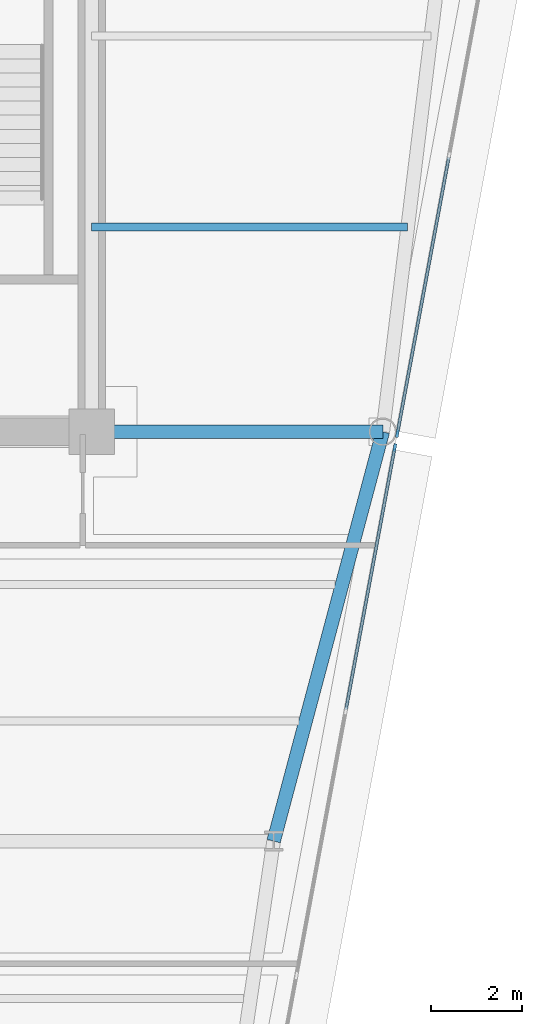
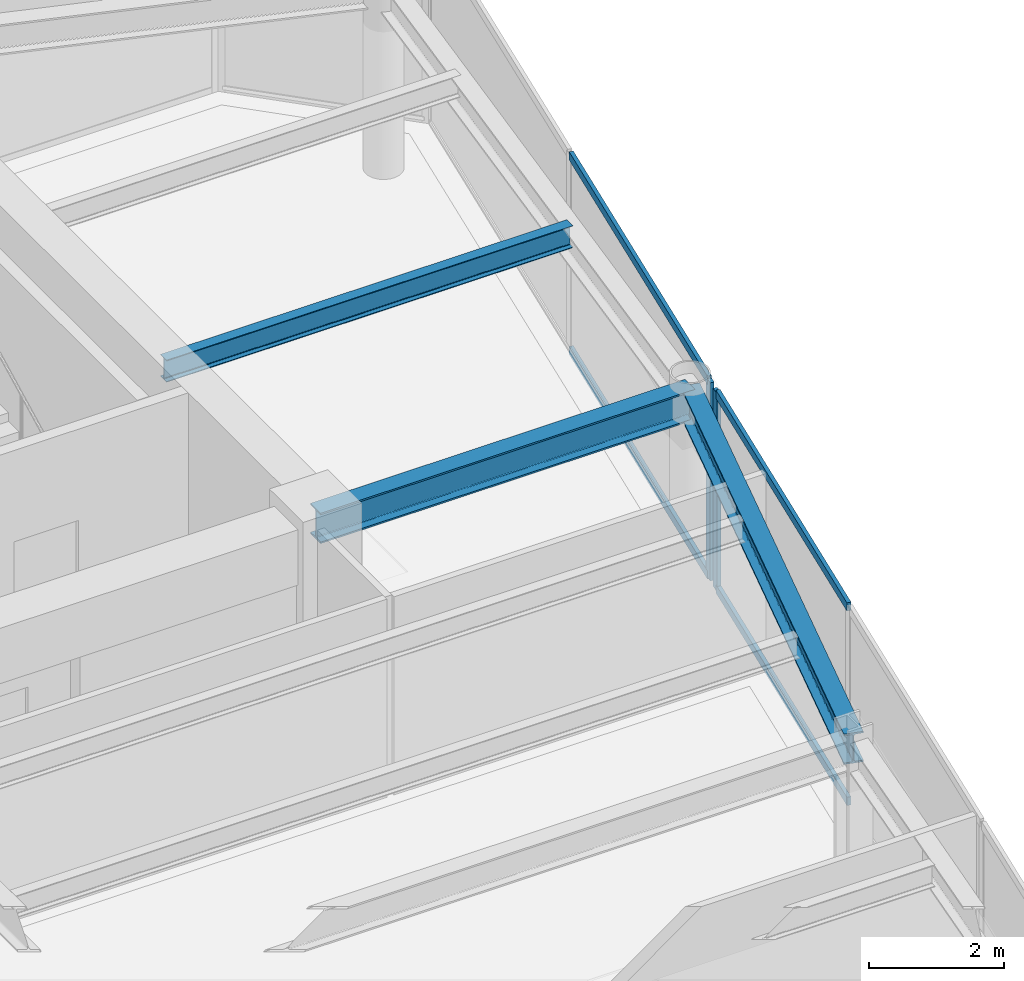
# One storey, part 6 of 18: 6 members, 3 beams, 2 elements without a shape of their own.
"""IFC4 building model written with IfcOpenShell, lengths in metres."""

from ifc_helpers import new_model, si_unit, direction, frame, origin, origin_2d, place, context, subcontext, project, spatial, rectangle, i_section, extrude, source, transform, mapped, material, layer, layer_set, material_profile, profile_set, type_object, element, aggregate, save


model = new_model("IFC4")

# Units and contexts
model_context = context("Model", 3, precision=1e-05, world=origin(), true_north=direction((0.0, 1.0)))
body_context = subcontext(model_context, "Body", "Model", "MODEL_VIEW")
ifc_project = project(units=[si_unit("LENGTHUNIT", "METRE"), si_unit("AREAUNIT", "SQUARE_METRE"), si_unit("VOLUMEUNIT", "CUBIC_METRE"), si_unit("PLANEANGLEUNIT", "RADIAN"), si_unit("MASSUNIT", "GRAM", prefix="KILO")], contexts=[model_context])

# Site, building, storey
site_placement = place(None, origin())
site = spatial("IfcSite", under=ifc_project, at=site_placement, CompositionType="ELEMENT")
building_placement = place(site_placement, origin())
building = spatial("IfcBuilding", under=site, at=building_placement, Name="Vaeldorn Concourse Tower", CompositionType="ELEMENT")
storey_placement = place(building_placement, frame((0.0, 0.0, 242.199951171875)))
storey = spatial("IfcBuildingStorey", under=building, at=storey_placement, Name="L62", CompositionType="ELEMENT", Elevation=242.199951171875)

# Beams
ifc_material_1 = material(Name="Steel S355", Category="steel")
ifc_material_profile_1 = material_profile(ifc_material_1, i_section(OverallWidth=0.179931640625, OverallDepth=0.39990234375, WebThickness=0.008544921875, FlangeThickness=0.013427734375, FilletRadius=0.02099609375, at=origin_2d()), Name="IPE 400")
ifc_profile_set_1 = profile_set([ifc_material_profile_1], Name="Steel S355")
beam_type_1 = type_object("IfcBeamType", Name="BM-JS-IPE400", PredefinedType="JOIST", material=ifc_profile_set_1)
shared_shape_1 = source(origin(), body_context, "Body", "SweptSolid", [
    extrude(i_section(OverallWidth=0.179931640625, OverallDepth=0.39990234375, WebThickness=0.008544921875, FlangeThickness=0.013427734375, FilletRadius=0.02099609375, at=origin_2d()), origin(), (0.0, 0.0, 1.0), 6.94775390625),
])
beam_1_placement = place(storey_placement, frame((54.0, 41.0, 3.380126953125), z_axis=(1.0, 0.0, 0.0), x_axis=(0.0, 1.0, 0.0)))
element("IfcBeam", 1, at=beam_1_placement, inside=storey, type_object=beam_type_1, Name="Beam JS-L62-NE-410", PredefinedType="JOIST", context=body_context, shape_type="MappedRepresentation", body=[
    mapped(shared_shape_1, transform((0.0, 0.0, 0.0), scale=1.0)),
])
ifc_material_profile_2 = material_profile(ifc_material_1, i_section(OverallWidth=0.300048828125, OverallDepth=0.550048828125, WebThickness=0.014892578125, FlangeThickness=0.029052734375, FilletRadius=0.027099609375, at=origin_2d()), Name="HEB 550")
ifc_profile_set_2 = profile_set([ifc_material_profile_2], Name="Steel S355")
beam_type_2 = type_object("IfcBeamType", Name="BM-PG-HEB550", PredefinedType="BEAM", material=ifc_profile_set_2)
shared_shape_2 = source(origin(), body_context, "Body", "SweptSolid", [
    extrude(i_section(OverallWidth=0.300048828125, OverallDepth=0.550048828125, WebThickness=0.014892578125, FlangeThickness=0.029052734375, FilletRadius=0.027099609375, at=origin_2d()), origin(), (0.0, 0.0, 1.0), 6.39990234375),
])
beam_2_placement = place(storey_placement, frame((54.0, 36.5, 3.304931640625), z_axis=(1.0, 0.0, 0.0), x_axis=(0.0, 1.0, 0.0)))
element("IfcBeam", 2, at=beam_2_placement, inside=storey, type_object=beam_type_2, Name="Beam BM-L62-C-FC6-C-NE2", PredefinedType="BEAM", context=body_context, shape_type="MappedRepresentation", body=[
    mapped(shared_shape_2, transform((0.0, 0.0, 0.0), scale=1.0)),
])
shared_shape_3 = source(origin(), body_context, "Body", "SweptSolid", [
    extrude(i_section(OverallWidth=0.300048828125, OverallDepth=0.550048828125, WebThickness=0.014892578125, FlangeThickness=0.029052734375, FilletRadius=0.027099609375, at=origin_2d()), origin(), (0.0, 0.0, 1.0), 9.314453125),
])
beam_3_placement = place(storey_placement, frame((60.39990234375, 36.5, 3.304931640625), z_axis=(-0.257652862255, -0.966237549763, 0.0), x_axis=(0.966237549763, -0.257652862255, 0.0)))
element("IfcBeam", 3, at=beam_3_placement, inside=storey, type_object=beam_type_2, Name="Beam BM-L62-C-NE2-C-FLE1", PredefinedType="BEAM", context=body_context, shape_type="MappedRepresentation", body=[
    mapped(shared_shape_3, transform((0.0, 0.0, 0.0), scale=1.0)),
])

# Curtain wall, member
ifc_material_2 = material(Name="Anodised Bronze Aluminium", Category="aluminium")
ifc_layer = layer(ifc_material_2, 0.179931640625)
ifc_layer_set = layer_set([ifc_layer], Name="Anodised Bronze Aluminium")
curtain_wall_type = type_object("IfcCurtainWallType", Name="CW-SYS-05", PredefinedType="NOTDEFINED", material=ifc_layer_set)
curtain_wall_1_placement = place(storey_placement, origin())
curtain_wall_1 = element("IfcCurtainWall", 4, at=curtain_wall_1_placement, inside=storey, type_object=curtain_wall_type, Name="Unitised Curtain Wall CW-L62-E07-1", PredefinedType="NOTDEFINED")
ifc_material_profile_3 = material_profile(ifc_material_2, rectangle(XDim=0.06494140625, YDim=0.169921875, at=origin_2d()), Name="CWM 65x170")
ifc_profile_set_3 = profile_set([ifc_material_profile_3], Name="Anodised Bronze Aluminium")
member_type_1 = type_object("IfcMemberType", Name="CWM-BRONZE-170", PredefinedType="MULLION", material=ifc_profile_set_3)
shared_shape_4 = source(origin(), body_context, "Body", "SweptSolid", [
    extrude(rectangle(XDim=0.06494140625, YDim=0.169921875, at=origin_2d()), origin(), (0.0, 0.0, 1.0), 3.580078125),
])
member_1_placement = place(storey_placement, frame((60.663818359375, 36.153076171875, 0.0), z_axis=(0.0, 0.0, 1.0), x_axis=(-0.983102653673, 0.18305510739, 0.0)))
member_1 = element("IfcMember", 5, at=member_1_placement, type_object=member_type_1, Name="CW-05 mullion 5", PredefinedType="MULLION", context=body_context, shape_type="MappedRepresentation", body=[
    mapped(shared_shape_4, transform((0.0, 0.0, 0.0), scale=1.0)),
])

curtain_wall_2_placement = place(storey_placement, origin())
curtain_wall_2 = element("IfcCurtainWall", 6, at=curtain_wall_2_placement, inside=storey, type_object=curtain_wall_type, Name="Unitised Curtain Wall CW-L62-E07-2", PredefinedType="NOTDEFINED")
member_2_placement = place(storey_placement, frame((60.720947265625, 36.460205078125, 0.0), z_axis=(0.0, 0.0, 1.0), x_axis=(-0.983102768025, 0.183054493257, 0.0)))
member_2 = element("IfcMember", 7, at=member_2_placement, type_object=member_type_1, Name="CW-05 mullion 1", PredefinedType="MULLION", context=body_context, shape_type="MappedRepresentation", body=[
    mapped(shared_shape_4, transform((0.0, 0.0, 0.0), scale=1.0)),
])

# Member
ifc_material_profile_4 = material_profile(ifc_material_2, rectangle(XDim=0.06494140625, YDim=0.14990234375, at=origin_2d()), Name="CWT 65x150")
ifc_profile_set_4 = profile_set([ifc_material_profile_4], Name="Anodised Bronze Aluminium")
member_type_2 = type_object("IfcMemberType", Name="CWT-BRONZE-150", PredefinedType="USERDEFINED", material=ifc_profile_set_4)
shared_shape_5 = source(origin(), body_context, "Body", "SweptSolid", [
    extrude(rectangle(XDim=0.06494140625, YDim=0.14990234375, at=origin_2d()), origin(), (0.0, 0.0, 1.0), 5.82373046875),
])
member_3_placement = place(storey_placement, frame((59.591796875, 30.395751953125, 0.032470703125), z_axis=(0.183030414843, 0.983107251139, 0.0), x_axis=(-0.983107251139, 0.183030414843, 0.0)))
member_3 = element("IfcMember", 8, at=member_3_placement, type_object=member_type_2, Name="CW-05 transom 4.1", ObjectType="TRANSOM", PredefinedType="USERDEFINED", context=body_context, shape_type="MappedRepresentation", body=[
    mapped(shared_shape_5, transform((0.0, 0.0, 0.0), scale=1.0)),
])

member_4_placement = place(storey_placement, frame((59.591796875, 30.395751953125, 3.547607421875), z_axis=(0.183030414843, 0.983107251139, 0.0), x_axis=(-0.983107251139, 0.183030414843, 0.0)))
member_4 = element("IfcMember", 9, at=member_4_placement, type_object=member_type_2, Name="CW-05 transom 4.2", ObjectType="TRANSOM", PredefinedType="USERDEFINED", context=body_context, shape_type="MappedRepresentation", body=[
    mapped(shared_shape_5, transform((0.0, 0.0, 0.0), scale=1.0)),
])

aggregate(curtain_wall_1, [member_1, member_3, member_4])

shared_shape_6 = source(origin(), body_context, "Body", "SweptSolid", [
    extrude(rectangle(XDim=0.06494140625, YDim=0.14990234375, at=origin_2d()), origin(), (0.0, 0.0, 1.0), 6.143798828125),
])
member_5_placement = place(storey_placement, frame((60.726806640625, 36.4921875, 0.032470703125), z_axis=(0.183069583935, 0.983099958009, 0.0), x_axis=(-0.983099958009, 0.183069583935, 0.0)))
member_5 = element("IfcMember", 10, at=member_5_placement, type_object=member_type_2, Name="CW-05 transom 1.1", ObjectType="TRANSOM", PredefinedType="USERDEFINED", context=body_context, shape_type="MappedRepresentation", body=[
    mapped(shared_shape_6, transform((0.0, 0.0, 0.0), scale=1.0)),
])

member_6_placement = place(storey_placement, frame((60.726806640625, 36.4921875, 3.547607421875), z_axis=(0.183069583935, 0.983099958009, 0.0), x_axis=(-0.983099958009, 0.183069583935, 0.0)))
member_6 = element("IfcMember", 11, at=member_6_placement, type_object=member_type_2, Name="CW-05 transom 1.2", ObjectType="TRANSOM", PredefinedType="USERDEFINED", context=body_context, shape_type="MappedRepresentation", body=[
    mapped(shared_shape_6, transform((0.0, 0.0, 0.0), scale=1.0)),
])

aggregate(curtain_wall_2, [member_2, member_5, member_6])

save(model, "model.ifc")
